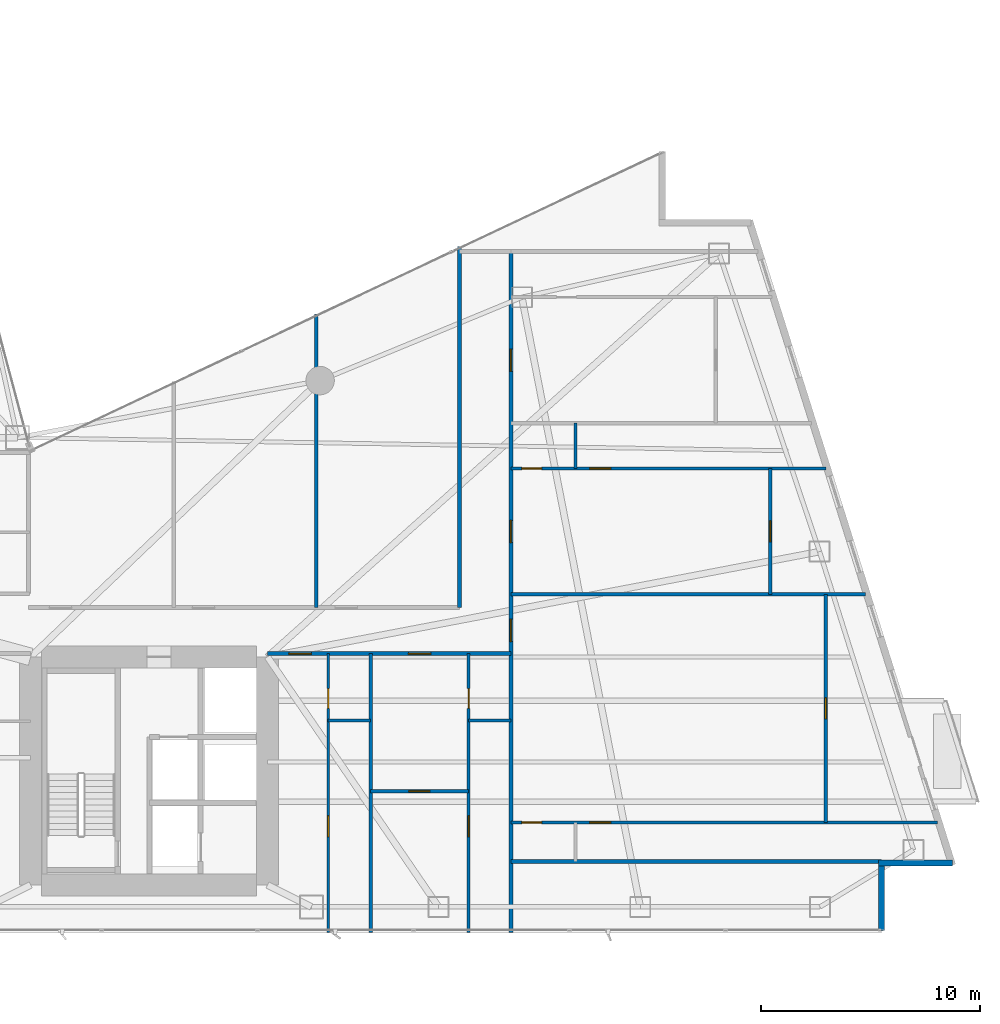
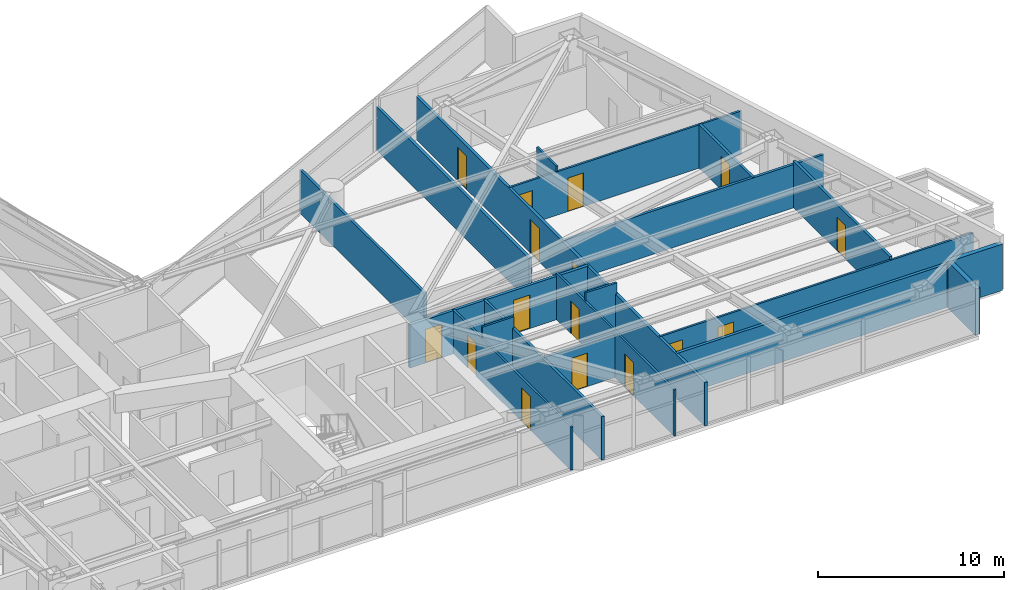
# One storey, part 24 of 30: 19 walls, 16 doors, 16 openings.
"""IFC4 building model written with IfcOpenShell, lengths in metres."""

from ifc_helpers import new_model, si_unit, direction, frame, frame_2d, origin, place, context, subcontext, project, spatial, rectangle, extrude, material, layer, layer_set, type_object, element, fill, save


model = new_model("IFC4")

# Units and contexts
model_context = context("Model", 3, precision=1e-05, world=origin(), true_north=direction((0.0, 1.0)))
body_context = subcontext(model_context, "Body", "Model", "MODEL_VIEW")
ifc_project = project(units=[si_unit("LENGTHUNIT", "METRE"), si_unit("AREAUNIT", "SQUARE_METRE"), si_unit("VOLUMEUNIT", "CUBIC_METRE"), si_unit("PLANEANGLEUNIT", "RADIAN"), si_unit("MASSUNIT", "GRAM", prefix="KILO")], contexts=[model_context])

# Site, building, storey
site_placement = place(None, origin())
site = spatial("IfcSite", under=ifc_project, at=site_placement, CompositionType="ELEMENT")
building_placement = place(site_placement, origin())
building = spatial("IfcBuilding", under=site, at=building_placement, Name="Calvorn Quay Hotel", CompositionType="ELEMENT")
storey_placement = place(building_placement, frame((0.0, 0.0, 73.60009765625)))
storey = spatial("IfcBuildingStorey", under=building, at=storey_placement, Name="L17", CompositionType="ELEMENT", Elevation=73.60009765625)

# Wall, openings, doors
ifc_material_1 = material(Name="Acoustic Fireboard Steel-Stud Partition", Category="steel")
ifc_layer_1 = layer(ifc_material_1, 0.179931640625)
ifc_layer_set_1 = layer_set([ifc_layer_1], Name="WL-CORR-FIRE-180")
wall_type_1 = type_object("IfcWallType", Name="WL-CORR-FIRE-180", PredefinedType="PARTITIONING", material=ifc_layer_set_1)
wall_1_placement = place(storey_placement, frame((32.39990234375, 15.14990234375, 0.0), z_axis=(0.0, 0.0, 1.0), x_axis=(1.0, 0.0, 0.0)))
wall_1 = element("IfcWall", 1, at=wall_1_placement, inside=storey, type_object=wall_type_1, Name="Partition Wall L17-WL-CORR-SE-S", PredefinedType="PARTITIONING", context=body_context, shape_type="SweptSolid", body=[
    extrude(rectangle(XDim=11.10009765625, YDim=0.179931640625, at=frame_2d((5.550048828125, 0.0))), origin(), (0.0, 0.0, 1.0), 2.83984375),
])
opening_1_placement = place(wall_1_placement, frame((0.97998046875, 0.0, 0.0)))
opening_1 = element("IfcOpeningElement", 2, at=opening_1_placement, cuts=wall_1, Name="Opening D-L17-U06", PredefinedType="OPENING", context=body_context, shape_type="SweptSolid", body=[
    extrude(rectangle(XDim=1.02001953125, YDim=2.199951171875, at=frame_2d((0.510009765625, 1.10009765625))), frame((0.0, 0.099853515625, 0.0), z_axis=(0.0, -1.0, 0.0), x_axis=(1.0, 0.0, 0.0)), (0.0, 0.0, 1.0), 0.199951171875),
])
opening_2_placement = place(wall_1_placement, frame((6.429931640625, 0.0, 0.0)))
opening_2 = element("IfcOpeningElement", 3, at=opening_2_placement, cuts=wall_1, Name="Opening D-L17-U07", PredefinedType="OPENING", context=body_context, shape_type="SweptSolid", body=[
    extrude(rectangle(XDim=1.02001953125, YDim=2.199951171875, at=frame_2d((0.510009765625, 1.10009765625))), frame((0.0, 0.099853515625, 0.0), z_axis=(0.0, -1.0, 0.0), x_axis=(1.0, 0.0, 0.0)), (0.0, 0.0, 1.0), 0.199951171875),
])
ifc_material_2 = material(Name="Solid-Core Walnut Veneer Hotel Fire Door")
door_type_1 = type_object("IfcDoorType", Name="DR-GUEST-ENTRY-1020", OperationType="NOTDEFINED", PredefinedType="DOOR", material=ifc_material_2)
door_1_placement = place(opening_1_placement, origin())
door_1 = element("IfcDoor", 4, at=door_1_placement, inside=storey, type_object=door_type_1, Name="South-East Unit Door U06 (L17)", OperationType="SINGLE_SWING_LEFT", OverallHeight=2.199951171875, OverallWidth=1.02001953125, PredefinedType="DOOR", context=body_context, shape_type="SweptSolid", body=[
    extrude(rectangle(XDim=1.02001953125, YDim=2.199951171875, at=frame_2d((0.510009765625, 1.10009765625))), frame((0.0, 0.02490234375, 0.0), z_axis=(0.0, -1.0, 0.0), x_axis=(1.0, 0.0, 0.0)), (0.0, 0.0, 1.0), 0.050048828125),
])
fill(opening_1, door_1)
door_2_placement = place(opening_2_placement, origin())
door_2 = element("IfcDoor", 5, at=door_2_placement, inside=storey, type_object=door_type_1, Name="South-East Unit Door U07 (L17)", OperationType="SINGLE_SWING_RIGHT", OverallHeight=2.199951171875, OverallWidth=1.02001953125, PredefinedType="DOOR", context=body_context, shape_type="SweptSolid", body=[
    extrude(rectangle(XDim=1.02001953125, YDim=2.199951171875, at=frame_2d((0.510009765625, 1.10009765625))), frame((0.0, 0.02490234375, 0.0), z_axis=(0.0, -1.0, 0.0), x_axis=(1.0, 0.0, 0.0)), (0.0, 0.0, 1.0), 0.050048828125),
])
fill(opening_2, door_2)

# Walls
wall_2_placement = place(storey_placement, frame((41.14990234375, 17.25, 0.0), z_axis=(0.0, 0.0, 1.0), x_axis=(0.0, 1.0, 0.0)))
element("IfcWall", 6, at=wall_2_placement, inside=storey, type_object=wall_type_1, Name="Partition Wall L17-WL-NE-END-E", PredefinedType="PARTITIONING", context=body_context, shape_type="SweptSolid", body=[
    extrude(rectangle(XDim=16.4599609375, YDim=0.179931640625, at=frame_2d((8.22998046875, 0.0))), origin(), (0.0, 0.0, 1.0), 2.83984375),
])
wall_3_placement = place(storey_placement, frame((43.5, 5.659912109375, 0.0), z_axis=(0.0, 0.0, 1.0), x_axis=(1.0, 0.0, 0.0)))
element("IfcWall", 7, at=wall_3_placement, inside=storey, type_object=wall_type_1, Name="Partition Wall L17-WL-TIP-S", PredefinedType="PARTITIONING", context=body_context, shape_type="SweptSolid", body=[
    extrude(rectangle(XDim=16.89990234375, YDim=0.179931640625, at=frame_2d((8.449951171875, 0.0))), origin(), (0.0, 0.0, 1.0), 2.83984375),
])

# Wall, openings, doors
wall_4_placement = place(storey_placement, frame((43.5, 2.43994140625, 0.0), z_axis=(0.0, 0.0, 1.0), x_axis=(0.0, 1.0, 0.0)))
wall_4 = element("IfcWall", 8, at=wall_4_placement, inside=storey, type_object=wall_type_1, Name="Partition Wall L17-WL-CORR-TIP-E", PredefinedType="PARTITIONING", context=body_context, shape_type="SweptSolid", body=[
    extrude(rectangle(XDim=31.0400390625, YDim=0.179931640625, at=frame_2d((15.52001953125, 0.0))), origin(), (0.0, 0.0, 1.0), 2.83984375),
])
opening_3_placement = place(wall_4_placement, frame((13.260009765625, 0.0, 0.0)))
opening_3 = element("IfcOpeningElement", 9, at=opening_3_placement, cuts=wall_4, Name="Opening D-L17-U08", PredefinedType="OPENING", context=body_context, shape_type="SweptSolid", body=[
    extrude(rectangle(XDim=1.02001953125, YDim=2.199951171875, at=frame_2d((0.510009765625, 1.10009765625))), frame((0.0, 0.099853515625, 0.0), z_axis=(0.0, -1.0, 0.0), x_axis=(1.0, 0.0, 0.0)), (0.0, 0.0, 1.0), 0.199951171875),
])
opening_4_placement = place(wall_4_placement, frame((17.77001953125, 0.0, 0.0)))
opening_4 = element("IfcOpeningElement", 10, at=opening_4_placement, cuts=wall_4, Name="Opening D-L17-U09", PredefinedType="OPENING", context=body_context, shape_type="SweptSolid", body=[
    extrude(rectangle(XDim=1.02001953125, YDim=2.199951171875, at=frame_2d((0.510009765625, 1.10009765625))), frame((0.0, 0.099853515625, 0.0), z_axis=(0.0, -1.0, 0.0), x_axis=(1.0, 0.0, 0.0)), (0.0, 0.0, 1.0), 0.199951171875),
])
opening_5_placement = place(wall_4_placement, frame((25.580078125, 0.0, 0.0)))
opening_5 = element("IfcOpeningElement", 11, at=opening_5_placement, cuts=wall_4, Name="Opening D-L17-U10", PredefinedType="OPENING", context=body_context, shape_type="SweptSolid", body=[
    extrude(rectangle(XDim=1.02001953125, YDim=2.199951171875, at=frame_2d((0.510009765625, 1.10009765625))), frame((0.0, 0.099853515625, 0.0), z_axis=(0.0, -1.0, 0.0), x_axis=(1.0, 0.0, 0.0)), (0.0, 0.0, 1.0), 0.199951171875),
])
door_3_placement = place(opening_3_placement, origin())
door_3 = element("IfcDoor", 12, at=door_3_placement, inside=storey, type_object=door_type_1, Name="Terrace Suite Door U08 (L17)", OperationType="SINGLE_SWING_LEFT", OverallHeight=2.199951171875, OverallWidth=1.02001953125, PredefinedType="DOOR", context=body_context, shape_type="SweptSolid", body=[
    extrude(rectangle(XDim=1.02001953125, YDim=2.199951171875, at=frame_2d((0.510009765625, 1.10009765625))), frame((0.0, 0.02490234375, 0.0), z_axis=(0.0, -1.0, 0.0), x_axis=(1.0, 0.0, 0.0)), (0.0, 0.0, 1.0), 0.050048828125),
])
fill(opening_3, door_3)
door_4_placement = place(opening_4_placement, origin())
door_4 = element("IfcDoor", 13, at=door_4_placement, inside=storey, type_object=door_type_1, Name="Mid-East Suite Door U09 (L17)", OperationType="SINGLE_SWING_RIGHT", OverallHeight=2.199951171875, OverallWidth=1.02001953125, PredefinedType="DOOR", context=body_context, shape_type="SweptSolid", body=[
    extrude(rectangle(XDim=1.02001953125, YDim=2.199951171875, at=frame_2d((0.510009765625, 1.10009765625))), frame((0.0, 0.02490234375, 0.0), z_axis=(0.0, -1.0, 0.0), x_axis=(1.0, 0.0, 0.0)), (0.0, 0.0, 1.0), 0.050048828125),
])
fill(opening_4, door_4)
door_5_placement = place(opening_5_placement, origin())
door_5 = element("IfcDoor", 14, at=door_5_placement, inside=storey, type_object=door_type_1, Name="Horizon Suite Door U10 (L17)", OperationType="SINGLE_SWING_LEFT", OverallHeight=2.199951171875, OverallWidth=1.02001953125, PredefinedType="DOOR", context=body_context, shape_type="SweptSolid", body=[
    extrude(rectangle(XDim=1.02001953125, YDim=2.199951171875, at=frame_2d((0.510009765625, 1.10009765625))), frame((0.0, 0.02490234375, 0.0), z_axis=(0.0, -1.0, 0.0), x_axis=(1.0, 0.0, 0.0)), (0.0, 0.0, 1.0), 0.050048828125),
])
fill(opening_5, door_5)

# Wall
ifc_material_3 = material(Name="Moisture-Resistant Tile-Backed Partition")
ifc_layer_2 = layer(ifc_material_3, 0.125)
ifc_layer_set_2 = layer_set([ifc_layer_2], Name="WL-ENSUITE-125")
wall_type_2 = type_object("IfcWallType", Name="WL-ENSUITE-125", PredefinedType="PARTITIONING", material=ifc_layer_set_2)
wall_5_placement = place(storey_placement, frame((35.169921875, 12.10009765625, 0.0), z_axis=(0.0, 0.0, 1.0), x_axis=(1.0, 0.0, 0.0)))
element("IfcWall", 15, at=wall_5_placement, inside=storey, type_object=wall_type_2, Name="Partition Wall L17-WL-U06-BDV", PredefinedType="PARTITIONING", context=body_context, shape_type="SweptSolid", body=[
    extrude(rectangle(XDim=1.93017578125, YDim=0.125, at=frame_2d((0.965087890625, 0.0))), origin(), (0.0, 0.0, 1.0), 3.559814453125),
])

# Wall, openings, doors
wall_6_placement = place(storey_placement, frame((35.169921875, 2.43994140625, 0.0), z_axis=(0.0, 0.0, 1.0), x_axis=(0.0, 1.0, 0.0)))
wall_6 = element("IfcWall", 16, at=wall_6_placement, inside=storey, type_object=wall_type_2, Name="Partition Wall L17-WL-U06-BV", PredefinedType="PARTITIONING", context=body_context, shape_type="SweptSolid", body=[
    extrude(rectangle(XDim=12.7099609375, YDim=0.125, at=frame_2d((6.35498046875, 0.0))), origin(), (0.0, 0.0, 1.0), 2.83984375),
])
opening_6_placement = place(wall_6_placement, frame((4.35009765625, 0.0, 0.0)))
opening_6 = element("IfcOpeningElement", 17, at=opening_6_placement, cuts=wall_6, Name="Opening D-L17-S06", PredefinedType="OPENING", context=body_context, shape_type="SweptSolid", body=[
    extrude(rectangle(XDim=0.9599609375, YDim=2.199951171875, at=frame_2d((0.47998046875, 1.10009765625))), frame((0.0, 0.072509765625, 0.0), z_axis=(0.0, -1.0, 0.0), x_axis=(1.0, 0.0, 0.0)), (0.0, 0.0, 1.0), 0.14501953125),
])
opening_7_placement = place(wall_6_placement, frame((10.2099609375, 0.0, 0.0)))
opening_7 = element("IfcOpeningElement", 18, at=opening_7_placement, cuts=wall_6, Name="Opening D-L17-E06", PredefinedType="OPENING", context=body_context, shape_type="SweptSolid", body=[
    extrude(rectangle(XDim=0.89990234375, YDim=2.14990234375, at=frame_2d((0.449951171875, 1.074951171875))), frame((0.0, 0.072509765625, 0.0), z_axis=(0.0, -1.0, 0.0), x_axis=(1.0, 0.0, 0.0)), (0.0, 0.0, 1.0), 0.14501953125),
])
ifc_material_4 = material(Name="Moisture-Sealed Timber En-Suite Door", Category="wood")
door_type_2 = type_object("IfcDoorType", Name="DR-ENSUITE-900", OperationType="NOTDEFINED", PredefinedType="DOOR", material=ifc_material_4)
door_6_placement = place(opening_7_placement, origin())
door_6 = element("IfcDoor", 19, at=door_6_placement, inside=storey, type_object=door_type_2, Name="En-Suite Door 06", OperationType="SINGLE_SWING_RIGHT", OverallHeight=2.14990234375, OverallWidth=0.89990234375, PredefinedType="DOOR", context=body_context, shape_type="SweptSolid", body=[
    extrude(rectangle(XDim=0.89990234375, YDim=2.14990234375, at=frame_2d((0.449951171875, 1.074951171875))), frame((0.0, 0.02490234375, 0.0), z_axis=(0.0, -1.0, 0.0), x_axis=(1.0, 0.0, 0.0)), (0.0, 0.0, 1.0), 0.050048828125),
])
fill(opening_7, door_6)
ifc_material_5 = material(Name="Solid Timber Internal Suite Door", Category="wood")
door_type_3 = type_object("IfcDoorType", Name="DR-SUITE-INT-960", OperationType="NOTDEFINED", PredefinedType="DOOR", material=ifc_material_5)
door_7_placement = place(opening_6_placement, origin())
door_7 = element("IfcDoor", 20, at=door_7_placement, inside=storey, type_object=door_type_3, Name="Botanical Winter Garden Door 06", OperationType="SINGLE_SWING_LEFT", OverallHeight=2.199951171875, OverallWidth=0.9599609375, PredefinedType="DOOR", context=body_context, shape_type="SweptSolid", body=[
    extrude(rectangle(XDim=0.9599609375, YDim=2.199951171875, at=frame_2d((0.47998046875, 1.10009765625))), frame((0.0, 0.02490234375, 0.0), z_axis=(0.0, -1.0, 0.0), x_axis=(1.0, 0.0, 0.0)), (0.0, 0.0, 1.0), 0.050048828125),
])
fill(opening_6, door_7)

# Wall
wall_7_placement = place(storey_placement, frame((41.570068359375, 12.10009765625, 0.0), z_axis=(0.0, 0.0, 1.0), x_axis=(1.0, 0.0, 0.0)))
element("IfcWall", 21, at=wall_7_placement, inside=storey, type_object=wall_type_2, Name="Partition Wall L17-WL-U07-BDV", PredefinedType="PARTITIONING", context=body_context, shape_type="SweptSolid", body=[
    extrude(rectangle(XDim=1.929931640625, YDim=0.125, at=frame_2d((0.96484375, 0.0))), origin(), (0.0, 0.0, 1.0), 3.559814453125),
])

# Wall, openings, doors
wall_8_placement = place(storey_placement, frame((41.570068359375, 2.43994140625, 0.0), z_axis=(0.0, 0.0, 1.0), x_axis=(0.0, 1.0, 0.0)))
wall_8 = element("IfcWall", 22, at=wall_8_placement, inside=storey, type_object=wall_type_2, Name="Partition Wall L17-WL-U07-BV", PredefinedType="PARTITIONING", context=body_context, shape_type="SweptSolid", body=[
    extrude(rectangle(XDim=12.7099609375, YDim=0.125, at=frame_2d((6.35498046875, 0.0))), origin(), (0.0, 0.0, 1.0), 3.039794921875),
])
opening_8_placement = place(wall_8_placement, frame((4.35009765625, 0.0, 0.0)))
opening_8 = element("IfcOpeningElement", 23, at=opening_8_placement, cuts=wall_8, Name="Opening D-L17-S07", PredefinedType="OPENING", context=body_context, shape_type="SweptSolid", body=[
    extrude(rectangle(XDim=0.9599609375, YDim=2.199951171875, at=frame_2d((0.47998046875, 1.10009765625))), frame((0.0, 0.072509765625, 0.0), z_axis=(0.0, -1.0, 0.0), x_axis=(1.0, 0.0, 0.0)), (0.0, 0.0, 1.0), 0.14501953125),
])
opening_9_placement = place(wall_8_placement, frame((10.2099609375, 0.0, 0.0)))
opening_9 = element("IfcOpeningElement", 24, at=opening_9_placement, cuts=wall_8, Name="Opening D-L17-E07", PredefinedType="OPENING", context=body_context, shape_type="SweptSolid", body=[
    extrude(rectangle(XDim=0.89990234375, YDim=2.14990234375, at=frame_2d((0.449951171875, 1.074951171875))), frame((0.0, 0.072509765625, 0.0), z_axis=(0.0, -1.0, 0.0), x_axis=(1.0, 0.0, 0.0)), (0.0, 0.0, 1.0), 0.14501953125),
])
door_8_placement = place(opening_9_placement, origin())
door_8 = element("IfcDoor", 25, at=door_8_placement, inside=storey, type_object=door_type_2, Name="En-Suite Door 07", OperationType="SINGLE_SWING_RIGHT", OverallHeight=2.14990234375, OverallWidth=0.89990234375, PredefinedType="DOOR", context=body_context, shape_type="SweptSolid", body=[
    extrude(rectangle(XDim=0.89990234375, YDim=2.14990234375, at=frame_2d((0.449951171875, 1.074951171875))), frame((0.0, 0.02490234375, 0.0), z_axis=(0.0, -1.0, 0.0), x_axis=(1.0, 0.0, 0.0)), (0.0, 0.0, 1.0), 0.050048828125),
])
fill(opening_9, door_8)
door_9_placement = place(opening_8_placement, origin())
door_9 = element("IfcDoor", 26, at=door_9_placement, inside=storey, type_object=door_type_3, Name="Botanical Winter Garden Door 07", OperationType="SINGLE_SWING_LEFT", OverallHeight=2.199951171875, OverallWidth=0.9599609375, PredefinedType="DOOR", context=body_context, shape_type="SweptSolid", body=[
    extrude(rectangle(XDim=0.9599609375, YDim=2.199951171875, at=frame_2d((0.47998046875, 1.10009765625))), frame((0.0, 0.02490234375, 0.0), z_axis=(0.0, -1.0, 0.0), x_axis=(1.0, 0.0, 0.0)), (0.0, 0.0, 1.0), 0.050048828125),
])
fill(opening_8, door_9)

wall_9_placement = place(storey_placement, frame((43.5, 7.449951171875, 0.0), z_axis=(0.0, 0.0, 1.0), x_axis=(1.0, 0.0, 0.0)))
wall_9 = element("IfcWall", 27, at=wall_9_placement, inside=storey, type_object=wall_type_2, Name="Partition Wall L17-WL-U08-BH", PredefinedType="PARTITIONING", context=body_context, shape_type="SweptSolid", body=[
    extrude(rectangle(XDim=19.4599609375, YDim=0.125, at=frame_2d((9.72998046875, 0.0))), origin(), (0.0, 0.0, 1.0), 2.83984375),
])
opening_10_placement = place(wall_9_placement, frame((0.5, 0.0, 0.0)))
opening_10 = element("IfcOpeningElement", 28, at=opening_10_placement, cuts=wall_9, Name="Opening D-L17-E08", PredefinedType="OPENING", context=body_context, shape_type="SweptSolid", body=[
    extrude(rectangle(XDim=0.89990234375, YDim=2.14990234375, at=frame_2d((0.449951171875, 1.074951171875))), frame((0.0, 0.072509765625, 0.0), z_axis=(0.0, -1.0, 0.0), x_axis=(1.0, 0.0, 0.0)), (0.0, 0.0, 1.0), 0.14501953125),
])
opening_11_placement = place(wall_9_placement, frame((3.60009765625, 0.0, 0.0)))
opening_11 = element("IfcOpeningElement", 29, at=opening_11_placement, cuts=wall_9, Name="Opening D-L17-S08", PredefinedType="OPENING", context=body_context, shape_type="SweptSolid", body=[
    extrude(rectangle(XDim=0.9599609375, YDim=2.199951171875, at=frame_2d((0.47998046875, 1.10009765625))), frame((0.0, 0.072509765625, 0.0), z_axis=(0.0, -1.0, 0.0), x_axis=(1.0, 0.0, 0.0)), (0.0, 0.0, 1.0), 0.14501953125),
])
door_10_placement = place(opening_10_placement, origin())
door_10 = element("IfcDoor", 30, at=door_10_placement, inside=storey, type_object=door_type_2, Name="En-Suite Door 08", OperationType="SINGLE_SWING_LEFT", OverallHeight=2.14990234375, OverallWidth=0.89990234375, PredefinedType="DOOR", context=body_context, shape_type="SweptSolid", body=[
    extrude(rectangle(XDim=0.89990234375, YDim=2.14990234375, at=frame_2d((0.449951171875, 1.074951171875))), frame((0.0, 0.02490234375, 0.0), z_axis=(0.0, -1.0, 0.0), x_axis=(1.0, 0.0, 0.0)), (0.0, 0.0, 1.0), 0.050048828125),
])
fill(opening_10, door_10)
door_11_placement = place(opening_11_placement, origin())
door_11 = element("IfcDoor", 31, at=door_11_placement, inside=storey, type_object=door_type_3, Name="Botanical Winter Garden Door 08", OperationType="SINGLE_SWING_RIGHT", OverallHeight=2.199951171875, OverallWidth=0.9599609375, PredefinedType="DOOR", context=body_context, shape_type="SweptSolid", body=[
    extrude(rectangle(XDim=0.9599609375, YDim=2.199951171875, at=frame_2d((0.47998046875, 1.10009765625))), frame((0.0, 0.02490234375, 0.0), z_axis=(0.0, -1.0, 0.0), x_axis=(1.0, 0.0, 0.0)), (0.0, 0.0, 1.0), 0.050048828125),
])
fill(opening_11, door_11)

# Wall
wall_10_placement = place(storey_placement, frame((46.449951171875, 23.590087890625, 0.0), z_axis=(0.0, 0.0, 1.0), x_axis=(0.0, 1.0, 0.0)))
element("IfcWall", 32, at=wall_10_placement, inside=storey, type_object=wall_type_2, Name="Partition Wall L17-WL-U09-BDV", PredefinedType="PARTITIONING", context=body_context, shape_type="SweptSolid", body=[
    extrude(rectangle(XDim=2.06982421875, YDim=0.125, at=frame_2d((1.034912109375, 0.0))), origin(), (0.0, 0.0, 1.0), 3.18994140625),
])

# Wall, openings, doors
wall_11_placement = place(storey_placement, frame((43.5, 23.590087890625, 0.0), z_axis=(0.0, 0.0, 1.0), x_axis=(1.0, 0.0, 0.0)))
wall_11 = element("IfcWall", 33, at=wall_11_placement, inside=storey, type_object=wall_type_2, Name="Partition Wall L17-WL-U09-BH", PredefinedType="PARTITIONING", context=body_context, shape_type="SweptSolid", body=[
    extrude(rectangle(XDim=14.3701171875, YDim=0.125, at=frame_2d((7.18505859375, 0.0))), origin(), (0.0, 0.0, 1.0), 2.83984375),
])
opening_12_placement = place(wall_11_placement, frame((0.5, 0.0, 0.0)))
opening_12 = element("IfcOpeningElement", 34, at=opening_12_placement, cuts=wall_11, Name="Opening D-L17-E09", PredefinedType="OPENING", context=body_context, shape_type="SweptSolid", body=[
    extrude(rectangle(XDim=0.89990234375, YDim=2.14990234375, at=frame_2d((0.449951171875, 1.074951171875))), frame((0.0, 0.072509765625, 0.0), z_axis=(0.0, -1.0, 0.0), x_axis=(1.0, 0.0, 0.0)), (0.0, 0.0, 1.0), 0.14501953125),
])
opening_13_placement = place(wall_11_placement, frame((3.60009765625, 0.0, 0.0)))
opening_13 = element("IfcOpeningElement", 35, at=opening_13_placement, cuts=wall_11, Name="Opening D-L17-S09", PredefinedType="OPENING", context=body_context, shape_type="SweptSolid", body=[
    extrude(rectangle(XDim=0.9599609375, YDim=2.199951171875, at=frame_2d((0.47998046875, 1.10009765625))), frame((0.0, 0.072509765625, 0.0), z_axis=(0.0, -1.0, 0.0), x_axis=(1.0, 0.0, 0.0)), (0.0, 0.0, 1.0), 0.14501953125),
])
door_12_placement = place(opening_12_placement, origin())
door_12 = element("IfcDoor", 36, at=door_12_placement, inside=storey, type_object=door_type_2, Name="En-Suite Door 09", OperationType="SINGLE_SWING_LEFT", OverallHeight=2.14990234375, OverallWidth=0.89990234375, PredefinedType="DOOR", context=body_context, shape_type="SweptSolid", body=[
    extrude(rectangle(XDim=0.89990234375, YDim=2.14990234375, at=frame_2d((0.449951171875, 1.074951171875))), frame((0.0, 0.02490234375, 0.0), z_axis=(0.0, -1.0, 0.0), x_axis=(1.0, 0.0, 0.0)), (0.0, 0.0, 1.0), 0.050048828125),
])
fill(opening_12, door_12)
door_13_placement = place(opening_13_placement, origin())
door_13 = element("IfcDoor", 37, at=door_13_placement, inside=storey, type_object=door_type_3, Name="Botanical Winter Garden Door 09", OperationType="SINGLE_SWING_RIGHT", OverallHeight=2.199951171875, OverallWidth=0.9599609375, PredefinedType="DOOR", context=body_context, shape_type="SweptSolid", body=[
    extrude(rectangle(XDim=0.9599609375, YDim=2.199951171875, at=frame_2d((0.47998046875, 1.10009765625))), frame((0.0, 0.02490234375, 0.0), z_axis=(0.0, -1.0, 0.0), x_axis=(1.0, 0.0, 0.0)), (0.0, 0.0, 1.0), 0.050048828125),
])
fill(opening_13, door_13)

# Walls
ifc_material_6 = material(Name="Concrete C40", Category="concrete")
ifc_layer_3 = layer(ifc_material_6, 0.320068359375)
ifc_layer_set_3 = layer_set([ifc_layer_3], Name="WL-EXT-SPANDREL-320")
wall_type_3 = type_object("IfcWallType", Name="WL-EXT-SPANDREL-320", PredefinedType="SOLIDWALL", material=ifc_layer_set_3)
wall_12_placement = place(storey_placement, frame((60.39990234375, 2.52001953125, 0.0), z_axis=(0.0, 0.0, 1.0), x_axis=(0.0, 1.0, 0.0)))
element("IfcWall", 38, at=wall_12_placement, inside=storey, type_object=wall_type_3, Name="Notched Corner Spandrel L17-SE1", PredefinedType="SOLIDWALL", context=body_context, shape_type="SweptSolid", body=[
    extrude(rectangle(XDim=2.93994140625, YDim=0.280029296875, at=frame_2d((1.469970703125, 0.0))), origin(), (0.0, 0.0, 1.0), 3.039794921875),
])
wall_13_placement = place(storey_placement, frame((60.260009765625, 5.60009765625, 0.0), z_axis=(0.0, 0.0, 1.0), x_axis=(1.0, 0.0, 0.0)))
element("IfcWall", 39, at=wall_13_placement, inside=storey, type_object=wall_type_3, Name="Notched Corner Spandrel L17-SE2", PredefinedType="SOLIDWALL", context=body_context, shape_type="SweptSolid", body=[
    extrude(rectangle(XDim=3.3798828125, YDim=0.280029296875, at=frame_2d((1.68994140625, 0.0))), origin(), (0.0, 0.0, 1.0), 3.039794921875),
])

# Wall, opening, door
ifc_material_7 = material(Name="Double-Stud Acoustic Gypsum Partition")
ifc_layer_4 = layer(ifc_material_7, 0.159912109375)
ifc_layer_set_4 = layer_set([ifc_layer_4], Name="WL-INTERSUITE-160")
wall_type_4 = type_object("IfcWallType", Name="WL-INTERSUITE-160", PredefinedType="PARTITIONING", material=ifc_layer_set_4)
wall_14_placement = place(storey_placement, frame((37.10009765625, 8.8798828125, 0.0), z_axis=(0.0, 0.0, 1.0), x_axis=(1.0, 0.0, 0.0)))
wall_14 = element("IfcWall", 40, at=wall_14_placement, inside=storey, type_object=wall_type_4, Name="Partition Wall L17-WL-U07-MSP", PredefinedType="PARTITIONING", context=body_context, shape_type="SweptSolid", body=[
    extrude(rectangle(XDim=4.469970703125, YDim=0.159912109375, at=frame_2d((2.23486328125, 0.0))), origin(), (0.0, 0.0, 1.0), 2.83984375),
])
opening_14_placement = place(wall_14_placement, frame((1.75, 0.0, 0.0)))
opening_14 = element("IfcOpeningElement", 41, at=opening_14_placement, cuts=wall_14, Name="Opening D-L17-M07", PredefinedType="OPENING", context=body_context, shape_type="SweptSolid", body=[
    extrude(rectangle(XDim=0.9599609375, YDim=2.199951171875, at=frame_2d((0.47998046875, 1.10009765625))), frame((0.0, 0.08984375, 0.0), z_axis=(0.0, -1.0, 0.0), x_axis=(1.0, 0.0, 0.0)), (0.0, 0.0, 1.0), 0.179931640625),
])
door_14_placement = place(opening_14_placement, origin())
door_14 = element("IfcDoor", 42, at=door_14_placement, inside=storey, type_object=door_type_3, Name="Suite Bedroom Door 07", OperationType="SINGLE_SWING_LEFT", OverallHeight=2.199951171875, OverallWidth=0.9599609375, PredefinedType="DOOR", context=body_context, shape_type="SweptSolid", body=[
    extrude(rectangle(XDim=0.9599609375, YDim=2.199951171875, at=frame_2d((0.47998046875, 1.10009765625))), frame((0.0, 0.02490234375, 0.0), z_axis=(0.0, -1.0, 0.0), x_axis=(1.0, 0.0, 0.0)), (0.0, 0.0, 1.0), 0.050048828125),
])
fill(opening_14, door_14)

# Walls
wall_15_placement = place(storey_placement, frame((37.10009765625, 2.43994140625, 0.0), z_axis=(0.0, 0.0, 1.0), x_axis=(0.0, 1.0, 0.0)))
element("IfcWall", 43, at=wall_15_placement, inside=storey, type_object=wall_type_4, Name="Partition Wall L17-WL-SE-DIV-1", PredefinedType="PARTITIONING", context=body_context, shape_type="SweptSolid", body=[
    extrude(rectangle(XDim=12.7099609375, YDim=0.159912109375, at=frame_2d((6.35498046875, 0.0))), origin(), (0.0, 0.0, 1.0), 2.83984375),
])
wall_16_placement = place(storey_placement, frame((34.6298828125, 17.25, 0.0), z_axis=(0.0, 0.0, 1.0), x_axis=(0.0, 1.0, 0.0)))
element("IfcWall", 44, at=wall_16_placement, inside=storey, type_object=wall_type_4, Name="Partition Wall L17-WL-NE-DIV-2", PredefinedType="PARTITIONING", context=body_context, shape_type="SweptSolid", body=[
    extrude(rectangle(XDim=13.3798828125, YDim=0.159912109375, at=frame_2d((6.68994140625, 0.0))), origin(), (0.0, 0.0, 1.0), 2.83984375),
])

# Wall, opening, door
wall_17_placement = place(storey_placement, frame((57.860107421875, 7.449951171875, 0.0), z_axis=(0.0, 0.0, 1.0), x_axis=(0.0, 1.0, 0.0)))
wall_17 = element("IfcWall", 45, at=wall_17_placement, inside=storey, type_object=wall_type_4, Name="Partition Wall L17-WL-U08-MSP", PredefinedType="PARTITIONING", context=body_context, shape_type="SweptSolid", body=[
    extrude(rectangle(XDim=10.400146484375, YDim=0.159912109375, at=frame_2d((5.2001953125, 0.0))), origin(), (0.0, 0.0, 1.0), 3.039794921875),
])
opening_15_placement = place(wall_17_placement, frame((4.719970703125, 0.0, 0.0)))
opening_15 = element("IfcOpeningElement", 46, at=opening_15_placement, cuts=wall_17, Name="Opening D-L17-M08", PredefinedType="OPENING", context=body_context, shape_type="SweptSolid", body=[
    extrude(rectangle(XDim=0.9599609375, YDim=2.199951171875, at=frame_2d((0.47998046875, 1.10009765625))), frame((0.0, 0.08984375, 0.0), z_axis=(0.0, -1.0, 0.0), x_axis=(1.0, 0.0, 0.0)), (0.0, 0.0, 1.0), 0.179931640625),
])
door_15_placement = place(opening_15_placement, origin())
door_15 = element("IfcDoor", 47, at=door_15_placement, inside=storey, type_object=door_type_3, Name="Suite Bedroom Door 08", OperationType="SINGLE_SWING_LEFT", OverallHeight=2.199951171875, OverallWidth=0.9599609375, PredefinedType="DOOR", context=body_context, shape_type="SweptSolid", body=[
    extrude(rectangle(XDim=0.9599609375, YDim=2.199951171875, at=frame_2d((0.47998046875, 1.10009765625))), frame((0.0, 0.02490234375, 0.0), z_axis=(0.0, -1.0, 0.0), x_axis=(1.0, 0.0, 0.0)), (0.0, 0.0, 1.0), 0.050048828125),
])
fill(opening_15, door_15)

wall_18_placement = place(storey_placement, frame((55.320068359375, 17.85009765625, 0.0), z_axis=(0.0, 0.0, 1.0), x_axis=(0.0, 1.0, 0.0)))
wall_18 = element("IfcWall", 48, at=wall_18_placement, inside=storey, type_object=wall_type_4, Name="Partition Wall L17-WL-U09-MSP", PredefinedType="PARTITIONING", context=body_context, shape_type="SweptSolid", body=[
    extrude(rectangle(XDim=5.739990234375, YDim=0.159912109375, at=frame_2d((2.8701171875, 0.0))), origin(), (0.0, 0.0, 1.0), 2.83984375),
])
opening_16_placement = place(wall_18_placement, frame((2.389892578125, 0.0, 0.0)))
opening_16 = element("IfcOpeningElement", 49, at=opening_16_placement, cuts=wall_18, Name="Opening D-L17-M09", PredefinedType="OPENING", context=body_context, shape_type="SweptSolid", body=[
    extrude(rectangle(XDim=0.9599609375, YDim=2.199951171875, at=frame_2d((0.47998046875, 1.10009765625))), frame((0.0, 0.08984375, 0.0), z_axis=(0.0, -1.0, 0.0), x_axis=(1.0, 0.0, 0.0)), (0.0, 0.0, 1.0), 0.179931640625),
])
door_16_placement = place(opening_16_placement, origin())
door_16 = element("IfcDoor", 50, at=door_16_placement, inside=storey, type_object=door_type_3, Name="Suite Bedroom Door 09", OperationType="SINGLE_SWING_LEFT", OverallHeight=2.199951171875, OverallWidth=0.9599609375, PredefinedType="DOOR", context=body_context, shape_type="SweptSolid", body=[
    extrude(rectangle(XDim=0.9599609375, YDim=2.199951171875, at=frame_2d((0.47998046875, 1.10009765625))), frame((0.0, 0.02490234375, 0.0), z_axis=(0.0, -1.0, 0.0), x_axis=(1.0, 0.0, 0.0)), (0.0, 0.0, 1.0), 0.050048828125),
])
fill(opening_16, door_16)

# Wall
wall_19_placement = place(storey_placement, frame((43.5, 17.85009765625, 0.0), z_axis=(0.0, 0.0, 1.0), x_axis=(1.0, 0.0, 0.0)))
element("IfcWall", 51, at=wall_19_placement, inside=storey, type_object=wall_type_4, Name="Partition Wall L17-WL-TIP-DIV", PredefinedType="PARTITIONING", context=body_context, shape_type="SweptSolid", body=[
    extrude(rectangle(XDim=16.179931640625, YDim=0.159912109375, at=frame_2d((8.08984375, 0.0))), origin(), (0.0, 0.0, 1.0), 2.83984375),
])

save(model, "model.ifc")
